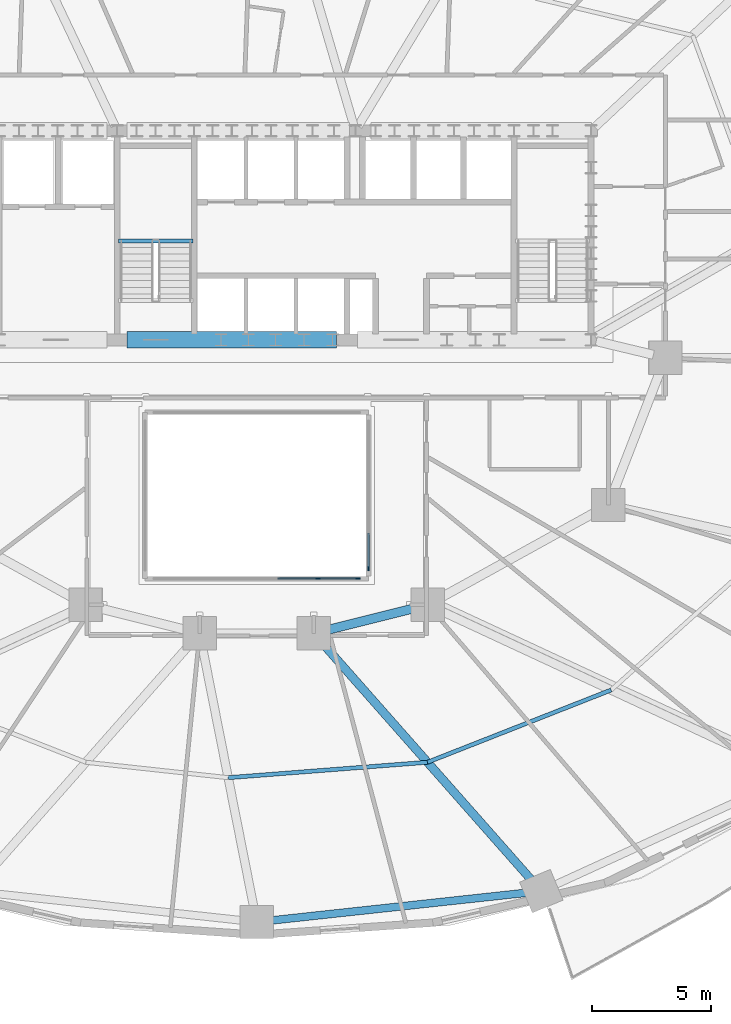
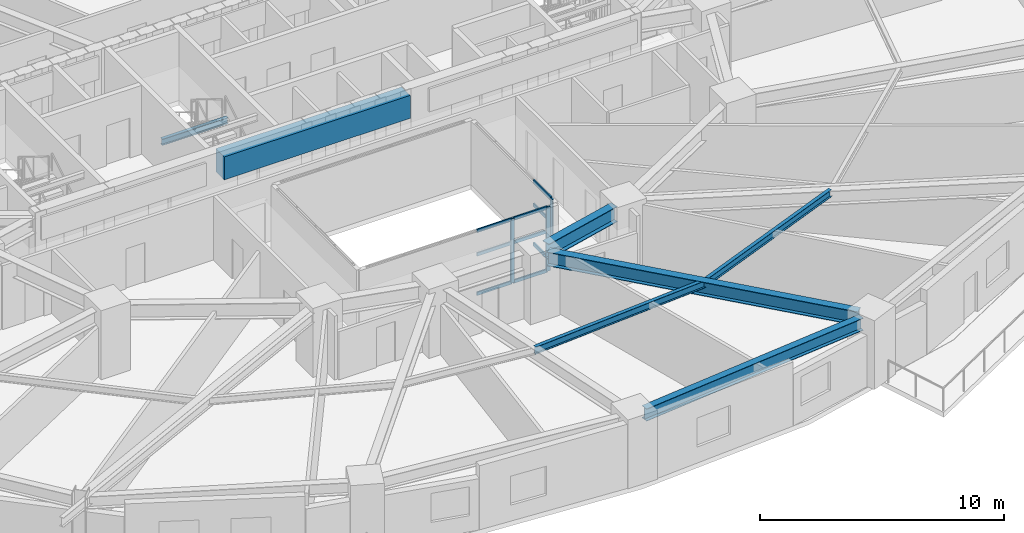
# One storey, part 5 of 18: 12 members, 7 beams, 2 elements without a shape of their own.
"""IFC4 building model written with IfcOpenShell, lengths in metres."""

import ifcopenshell
import ifcopenshell.guid

model = None  # the IFC model being written
_history = None  # IfcOwnerHistory: only IFC2X3 demands one
_inside = {}  # id of a spatial element -> (the spatial element, [elements in it])
_under = {}  # id of a project, library or spatial element -> (it, [spatial elements below it])
_declared = {}  # id of a project -> (the project, [libraries it declares])
_typed = {}  # id of a type object -> (the type object, [elements of that type])
_made_of = {}  # id of a material, layer set ... -> (it, [elements and type objects made of it])


def new_model(schema):
    """Start an empty IFC model of exactly this schema.

    Asked for "IFC4X3", IfcOpenShell would pick the latest addendum, in which some entities
    have other attributes; the version numbers below select the first issue.
    IFC2X3 requires an IfcOwnerHistory on every rooted entity: one is made here for all.
    """
    global model, _history
    if schema == "IFC4X3":
        model = ifcopenshell.file(schema_version=(4, 3, 0, 0))
    else:
        model = ifcopenshell.file(schema=schema)
    _inside.clear()
    _under.clear()
    _declared.clear()
    _typed.clear()
    _made_of.clear()
    _history = None
    if model.schema == "IFC2X3":
        org = make("IfcOrganization", Name="unknown")
        user = make(
            "IfcPersonAndOrganization",
            ThePerson=make("IfcPerson", FamilyName="unknown"),
            TheOrganization=org,
        )
        app = make(
            "IfcApplication",
            ApplicationDeveloper=org,
            Version="unknown",
            ApplicationFullName="unknown",
            ApplicationIdentifier="unknown",
        )
        _history = make(
            "IfcOwnerHistory",
            OwningUser=user,
            OwningApplication=app,
            ChangeAction="ADDED",
            CreationDate=0,
        )
    return model


def make(cls, **values):
    """One entity of the class cls with the attributes given. An attribute that is None is left unset."""
    return model.create_entity(
        cls, **{name: value for name, value in values.items() if value is not None}
    )


def rooted(cls, **values):
    """An entity with a GlobalId (a new one), such as an element, a storey or a relation."""
    return make(cls, GlobalId=ifcopenshell.guid.new(), OwnerHistory=_history, **values)


def si_unit(unit_type, name, prefix=None):
    """IfcSIUnit, for example si_unit("LENGTHUNIT", "METRE", prefix="MILLI")."""
    return make("IfcSIUnit", UnitType=unit_type, Prefix=prefix, Name=name)


def assignment(units):
    """IfcUnitAssignment: the units of a project."""
    return None if units is None else make("IfcUnitAssignment", Units=units)


def point(xyz):
    """IfcCartesianPoint."""
    return None if xyz is None else make("IfcCartesianPoint", Coordinates=xyz)


def direction(xyz):
    """IfcDirection."""
    return None if xyz is None else make("IfcDirection", DirectionRatios=xyz)


def frame(location, z_axis=None, x_axis=None):
    """IfcAxis2Placement3D, a coordinate frame: its origin and axes. An axis left out is left unset."""
    return make(
        "IfcAxis2Placement3D",
        Location=point(location),
        Axis=direction(z_axis),
        RefDirection=direction(x_axis),
    )


def frame_2d(location, x_axis=None):
    """IfcAxis2Placement2D, a coordinate frame in the plane: its origin and x axis."""
    return make(
        "IfcAxis2Placement2D", Location=point(location), RefDirection=direction(x_axis)
    )


def origin():
    """The frame at (0, 0, 0) with its axes left unset."""
    return frame((0.0, 0.0, 0.0))


def origin_2d():
    """The frame at (0, 0) in the plane with its x axis left unset."""
    return frame_2d((0.0, 0.0))


def place(relative_to, where):
    """IfcLocalPlacement: puts the frame where relative to a parent placement (None: the world)."""
    return make(
        "IfcLocalPlacement", PlacementRelTo=relative_to, RelativePlacement=where
    )


def context(
    kind, dimensions, precision=None, world=None, true_north=None, identifier=None
):
    """IfcGeometricRepresentationContext, for example the 3D "Model" context."""
    return make(
        "IfcGeometricRepresentationContext",
        ContextIdentifier=identifier,
        ContextType=kind,
        CoordinateSpaceDimension=dimensions,
        Precision=precision,
        WorldCoordinateSystem=world,
        TrueNorth=true_north,
    )


def subcontext(parent, identifier, kind, view, scale=None):
    """IfcGeometricRepresentationSubContext, for example "Body" below "Model"."""
    return make(
        "IfcGeometricRepresentationSubContext",
        ContextIdentifier=identifier,
        ContextType=kind,
        ParentContext=parent,
        TargetScale=scale,
        TargetView=view,
    )


def project(units=None, contexts=None):
    """IfcProject with its units and contexts."""
    return rooted(
        "IfcProject",
        Name="project",
        RepresentationContexts=contexts,
        UnitsInContext=assignment(units),
    )


def spatial(cls, under=None, at=None, **own):
    """A site, building, storey or space (cls), placed at a placement, below another one or the project."""
    s = rooted(cls, ObjectPlacement=at, **own)
    if under is not None:
        _under.setdefault(under.id(), (under, []))[1].append(s)
    return s


def profile(cls, at=None, kind="AREA", **sizes):
    """A parametric profile (cls). Its sizes go by their IFC names, for example OverallWidth=200.0."""
    return make(cls, ProfileType=kind, Position=at, **sizes)


def rectangle(**sizes):
    """IfcRectangleProfileDef."""
    return profile("IfcRectangleProfileDef", **sizes)


def i_section(**sizes):
    """IfcIShapeProfileDef."""
    return profile("IfcIShapeProfileDef", **sizes)


def extrude(swept, where, along, depth):
    """IfcExtrudedAreaSolid: the profile swept, set in the frame where, extruded along a direction by depth."""
    return make(
        "IfcExtrudedAreaSolid",
        SweptArea=swept,
        Position=where,
        ExtrudedDirection=direction(along),
        Depth=depth,
    )


def shape(context_of_items, identifier, shape_type, items):
    """IfcShapeRepresentation: the items that make up one representation, for example the "Body"."""
    return make(
        "IfcShapeRepresentation",
        ContextOfItems=context_of_items,
        RepresentationIdentifier=identifier,
        RepresentationType=shape_type,
        Items=items,
    )


def material(Name=None, Category=None):
    """IfcMaterial."""
    return make("IfcMaterial", Name=Name, Category=Category)


def material_profile(
    of_material, cross_section, Name=None, Category=None, Priority=None
):
    """IfcMaterialProfile: a cross section and its material."""
    return make(
        "IfcMaterialProfile",
        Name=Name,
        Material=of_material,
        Profile=cross_section,
        Priority=Priority,
        Category=Category,
    )


def profile_set(profiles, Name=None, composite=None):
    """IfcMaterialProfileSet."""
    return make(
        "IfcMaterialProfileSet",
        Name=Name,
        MaterialProfiles=profiles,
        CompositeProfile=composite,
    )


def made_of(thing, what):
    """Note that an element or type object is made of a material, layer set ...; save() writes the relation."""
    if what is not None:
        _made_of.setdefault(what.id(), (what, []))[1].append(thing)
    return thing


def type_object(cls, material=None, **own):
    """A type object (cls), such as IfcWallType, which elements share."""
    return made_of(rooted(cls, **own), material)


def element(
    cls,
    number,
    at=None,
    inside=None,
    cuts=None,
    type_object=None,
    material=None,
    context=None,
    identifier="Body",
    shape_type=None,
    held_by="IfcProductDefinitionShape",
    body=None,
    shapes=None,
    **own,
):
    """One element of the class cls, such as IfcWall. Its Tag is "e" and its number.

    at: its placement. inside: the storey or other place that contains it. cuts: it is an
    opening in that element (IfcRelVoidsElement). A single representation is given by context,
    identifier, shape_type and body (its items); several are given by shapes. held_by: the class
    of the entity that holds the representations. save() writes the other relations.
    """
    e = rooted(cls, Tag="e%d" % number, ObjectPlacement=at, **own)
    if body is not None:
        shapes = [shape(context, identifier, shape_type, body)]
    if shapes is not None:
        e.Representation = make(held_by, Representations=shapes)
    if inside is not None:
        _inside.setdefault(inside.id(), (inside, []))[1].append(e)
    if cuts is not None:
        rooted(
            "IfcRelVoidsElement", RelatingBuildingElement=cuts, RelatedOpeningElement=e
        )
    if type_object is not None:
        _typed.setdefault(type_object.id(), (type_object, []))[1].append(e)
    return made_of(e, material)


def aggregate(whole, parts):
    """IfcRelAggregates: a whole, such as a stair, and the parts it consists of."""
    return rooted("IfcRelAggregates", RelatingObject=whole, RelatedObjects=parts)


def save(model, path):
    """Write the relations noted so far, then the file.

    IfcRelAggregates (storeys below a building ...), IfcRelContainedInSpatialStructure (elements
    in a storey), IfcRelDefinesByType, IfcRelAssociatesMaterial and IfcRelDeclares: one each for
    every whole, place, type object, material and project.
    """
    for whole, parts in _under.values():
        aggregate(whole, parts)
    for where, things in _inside.values():
        rooted(
            "IfcRelContainedInSpatialStructure",
            RelatedElements=things,
            RelatingStructure=where,
        )
    for kind, things in _typed.values():
        rooted("IfcRelDefinesByType", RelatedObjects=things, RelatingType=kind)
    for what, things in _made_of.values():
        rooted("IfcRelAssociatesMaterial", RelatedObjects=things, RelatingMaterial=what)
    for by, libraries in _declared.values():
        rooted("IfcRelDeclares", RelatingContext=by, RelatedDefinitions=libraries)
    model.write(path)


model = new_model("IFC4")

# Units and contexts
model_context = context("Model", 3, precision=1e-05, world=origin(), true_north=direction((0.0, 1.0)))
body_context = subcontext(model_context, "Body", "Model", "MODEL_VIEW")
ifc_project = project(units=[si_unit("LENGTHUNIT", "METRE"), si_unit("AREAUNIT", "SQUARE_METRE"), si_unit("VOLUMEUNIT", "CUBIC_METRE"), si_unit("PLANEANGLEUNIT", "RADIAN"), si_unit("MASSUNIT", "GRAM", prefix="KILO")], contexts=[model_context])

# Site, building, storey
site_placement = place(None, origin())
site = spatial("IfcSite", under=ifc_project, at=site_placement, CompositionType="ELEMENT")
building_placement = place(site_placement, origin())
building = spatial("IfcBuilding", under=site, at=building_placement, Name="Haldorwick Loom Tower", CompositionType="ELEMENT")
storey_placement = place(building_placement, frame((0.0, 0.0, 41.25)))
storey = spatial("IfcBuildingStorey", under=building, at=storey_placement, Name="L10", CompositionType="ELEMENT", Elevation=41.25)

# Curtain wall, members
ifc_material_1 = material(Name="Thermally Broken Anodized Aluminium Curtain Wall Framing", Category="aluminium")
curtain_wall_type = type_object("IfcCurtainWallType", Name="ARC-CW-03", PredefinedType="NOTDEFINED", material=ifc_material_1)
curtain_wall_1_placement = place(storey_placement, origin())
curtain_wall_1 = element("IfcCurtainWall", 1, at=curtain_wall_1_placement, inside=storey, type_object=curtain_wall_type, Name="L10 Atrium Glazed Screen S", PredefinedType="NOTDEFINED")
ifc_material_profile_1 = material_profile(ifc_material_1, rectangle(XDim=0.06591796875, YDim=0.18505859375, at=origin_2d()), Name="ALU_MUL_66X185", Category="aluminium")
ifc_profile_set_1 = profile_set([ifc_material_profile_1], Name="Thermally Broken Anodized Aluminium Curtain Wall Framing")
member_type_1 = type_object("IfcMemberType", Name="ARC-CWM-03", PredefinedType="MULLION", material=ifc_profile_set_1)
member_1_placement = place(storey_placement, frame((40.26708984375, 16.699951171875, 0.0), z_axis=(0.0, 0.0, 1.0), x_axis=(0.0, -1.0, 0.0)))
member_1 = element("IfcMember", 2, at=member_1_placement, type_object=member_type_1, Name="CW-03 mullion 1", PredefinedType="MULLION", context=body_context, shape_type="SweptSolid", body=[
    extrude(rectangle(XDim=0.06591796875, YDim=0.18505859375, at=origin_2d()), origin(), (0.0, 0.0, 1.0), 3.2099609375),
])
member_2_placement = place(storey_placement, frame((38.580078125, 16.699951171875, 0.0), z_axis=(0.0, 0.0, 1.0), x_axis=(0.0, -1.0, 0.0)))
member_2 = element("IfcMember", 3, at=member_2_placement, type_object=member_type_1, Name="CW-03 mullion 2", PredefinedType="MULLION", context=body_context, shape_type="SweptSolid", body=[
    extrude(rectangle(XDim=0.06591796875, YDim=0.18505859375, at=origin_2d()), origin(), (0.0, 0.0, 1.0), 3.2099609375),
])

# Curtain wall, member
curtain_wall_2_placement = place(storey_placement, origin())
curtain_wall_2 = element("IfcCurtainWall", 4, at=curtain_wall_2_placement, inside=storey, type_object=curtain_wall_type, Name="L10 Atrium Glazed Screen E", PredefinedType="NOTDEFINED")
member_3_placement = place(storey_placement, frame((40.699951171875, 17.133056640625, 0.0), z_axis=(0.0, 0.0, 1.0), x_axis=(1.0, 0.0, 0.0)))
member_3 = element("IfcMember", 5, at=member_3_placement, type_object=member_type_1, Name="CW-03 mullion 5", PredefinedType="MULLION", context=body_context, shape_type="SweptSolid", body=[
    extrude(rectangle(XDim=0.06591796875, YDim=0.18505859375, at=origin_2d()), origin(), (0.0, 0.0, 1.0), 3.2099609375),
])

# Member
ifc_material_profile_2 = material_profile(ifc_material_1, rectangle(XDim=0.06591796875, YDim=0.1650390625, at=origin_2d()), Name="ALU_TRN_66X165", Category="aluminium")
ifc_profile_set_2 = profile_set([ifc_material_profile_2], Name="Thermally Broken Anodized Aluminium Curtain Wall Framing")
member_type_2 = type_object("IfcMemberType", Name="ARC-CWT-03", PredefinedType="USERDEFINED", material=ifc_profile_set_2)
member_4_placement = place(storey_placement, frame((40.23388671875, 16.699951171875, 0.032958984375), z_axis=(-1.0, 0.0, 0.0), x_axis=(0.0, -1.0, 0.0)))
member_4 = element("IfcMember", 6, at=member_4_placement, type_object=member_type_2, Name="CW-03 transom 1.1", ObjectType="TRANSOM", PredefinedType="USERDEFINED", context=body_context, shape_type="SweptSolid", body=[
    extrude(rectangle(XDim=0.06591796875, YDim=0.1650390625, at=origin_2d()), origin(), (0.0, 0.0, 1.0), 1.620849609375),
])

member_5_placement = place(storey_placement, frame((40.23388671875, 16.699951171875, 2.0), z_axis=(-1.0, 0.0, 0.0), x_axis=(0.0, -1.0, 0.0)))
member_5 = element("IfcMember", 7, at=member_5_placement, type_object=member_type_2, Name="CW-03 transom 1.2", ObjectType="TRANSOM", PredefinedType="USERDEFINED", context=body_context, shape_type="SweptSolid", body=[
    extrude(rectangle(XDim=0.06591796875, YDim=0.1650390625, at=origin_2d()), origin(), (0.0, 0.0, 1.0), 1.620849609375),
])

member_6_placement = place(storey_placement, frame((40.23388671875, 16.699951171875, 3.177001953125), z_axis=(-1.0, 0.0, 0.0), x_axis=(0.0, -1.0, 0.0)))
member_6 = element("IfcMember", 8, at=member_6_placement, type_object=member_type_2, Name="CW-03 transom 1.3", ObjectType="TRANSOM", PredefinedType="USERDEFINED", context=body_context, shape_type="SweptSolid", body=[
    extrude(rectangle(XDim=0.06591796875, YDim=0.1650390625, at=origin_2d()), origin(), (0.0, 0.0, 1.0), 1.620849609375),
])

member_7_placement = place(storey_placement, frame((38.547119140625, 16.699951171875, 0.032958984375), z_axis=(-1.0, 0.0, 0.0), x_axis=(0.0, -1.0, 0.0)))
member_7 = element("IfcMember", 9, at=member_7_placement, type_object=member_type_2, Name="CW-03 transom 2.1", ObjectType="TRANSOM", PredefinedType="USERDEFINED", context=body_context, shape_type="SweptSolid", body=[
    extrude(rectangle(XDim=0.06591796875, YDim=0.1650390625, at=origin_2d()), origin(), (0.0, 0.0, 1.0), 1.654052734375),
])

member_8_placement = place(storey_placement, frame((38.547119140625, 16.699951171875, 2.0), z_axis=(-1.0, 0.0, 0.0), x_axis=(0.0, -1.0, 0.0)))
member_8 = element("IfcMember", 10, at=member_8_placement, type_object=member_type_2, Name="CW-03 transom 2.2", ObjectType="TRANSOM", PredefinedType="USERDEFINED", context=body_context, shape_type="SweptSolid", body=[
    extrude(rectangle(XDim=0.06591796875, YDim=0.1650390625, at=origin_2d()), origin(), (0.0, 0.0, 1.0), 1.654052734375),
])

member_9_placement = place(storey_placement, frame((38.547119140625, 16.699951171875, 3.177001953125), z_axis=(-1.0, 0.0, 0.0), x_axis=(0.0, -1.0, 0.0)))
member_9 = element("IfcMember", 11, at=member_9_placement, type_object=member_type_2, Name="CW-03 transom 2.3", ObjectType="TRANSOM", PredefinedType="USERDEFINED", context=body_context, shape_type="SweptSolid", body=[
    extrude(rectangle(XDim=0.06591796875, YDim=0.1650390625, at=origin_2d()), origin(), (0.0, 0.0, 1.0), 1.654052734375),
])

aggregate(curtain_wall_1, [member_1, member_2, member_4, member_5, member_6, member_7, member_8, member_9])

member_10_placement = place(storey_placement, frame((40.699951171875, 18.616943359375, 0.032958984375), z_axis=(0.0, -1.0, 0.0), x_axis=(1.0, 0.0, 0.0)))
member_10 = element("IfcMember", 12, at=member_10_placement, type_object=member_type_2, Name="CW-03 transom 4.1", ObjectType="TRANSOM", PredefinedType="USERDEFINED", context=body_context, shape_type="SweptSolid", body=[
    extrude(rectangle(XDim=0.06591796875, YDim=0.1650390625, at=origin_2d()), origin(), (0.0, 0.0, 1.0), 1.450927734375),
])

member_11_placement = place(storey_placement, frame((40.699951171875, 18.616943359375, 2.0), z_axis=(0.0, -1.0, 0.0), x_axis=(1.0, 0.0, 0.0)))
member_11 = element("IfcMember", 13, at=member_11_placement, type_object=member_type_2, Name="CW-03 transom 4.2", ObjectType="TRANSOM", PredefinedType="USERDEFINED", context=body_context, shape_type="SweptSolid", body=[
    extrude(rectangle(XDim=0.06591796875, YDim=0.1650390625, at=origin_2d()), origin(), (0.0, 0.0, 1.0), 1.450927734375),
])

member_12_placement = place(storey_placement, frame((40.699951171875, 18.616943359375, 3.177001953125), z_axis=(0.0, -1.0, 0.0), x_axis=(1.0, 0.0, 0.0)))
member_12 = element("IfcMember", 14, at=member_12_placement, type_object=member_type_2, Name="CW-03 transom 4.3", ObjectType="TRANSOM", PredefinedType="USERDEFINED", context=body_context, shape_type="SweptSolid", body=[
    extrude(rectangle(XDim=0.06591796875, YDim=0.1650390625, at=origin_2d()), origin(), (0.0, 0.0, 1.0), 1.450927734375),
])

aggregate(curtain_wall_2, [member_3, member_10, member_11, member_12])

# Beams
ifc_material_2 = material(Name="Concrete C60 (60 MPa)", Category="concrete")
ifc_material_profile_3 = material_profile(ifc_material_2, rectangle(XDim=0.699951171875, YDim=1.14990234375, at=origin_2d()), Name="RC700X1150", Category="concrete")
ifc_profile_set_3 = profile_set([ifc_material_profile_3], Name="Concrete C60 (60 MPa)")
beam_type_1 = type_object("IfcBeamType", Name="STR-BM-CB1150", PredefinedType="LINTEL", material=ifc_profile_set_3)
beam_1_placement = place(storey_placement, frame((30.550048828125, 26.75, 2.635009765625), z_axis=(1.0, 0.0, 0.0), x_axis=(0.0, 1.0, 0.0)))
element("IfcBeam", 15, at=beam_1_placement, inside=storey, type_object=beam_type_1, Name="L10 Core Coupling Beam CB-S2", PredefinedType="LINTEL", context=body_context, shape_type="SweptSolid", body=[
    extrude(rectangle(XDim=0.699951171875, YDim=1.14990234375, at=origin_2d()), origin(), (0.0, 0.0, 1.0), 8.800048828125),
])
ifc_material_3 = material(Name="Steel CSA G40.21 350W", Category="steel")
ifc_material_profile_4 = material_profile(ifc_material_3, i_section(OverallWidth=0.172119140625, OverallDepth=0.35791015625, WebThickness=0.0078125, FlangeThickness=0.01318359375, at=origin_2d()), Name="W360X57", Category="steel")
ifc_profile_set_4 = profile_set([ifc_material_profile_4], Name="Steel CSA G40.21 350W")
beam_type_2 = type_object("IfcBeamType", Name="STR-BM-J360", PredefinedType="JOIST", material=ifc_profile_set_4)
beam_2_placement = place(storey_placement, frame((34.800048828125, 8.324951171875, 3.031005859375), z_axis=(0.99701252039, 0.077240107368, 0.0), x_axis=(-0.077240107368, 0.99701252039, 0.0)))
element("IfcBeam", 16, at=beam_2_placement, inside=storey, type_object=beam_type_2, Name="L10 Mid-Bay Secondary Joist 13", PredefinedType="JOIST", context=body_context, shape_type="SweptSolid", body=[
    extrude(i_section(OverallWidth=0.172119140625, OverallDepth=0.35791015625, WebThickness=0.0078125, FlangeThickness=0.01318359375, at=origin_2d()), origin(), (0.0, 0.0, 1.0), 8.4140625),
])
beam_3_placement = place(storey_placement, frame((43.18896484375, 8.974853515625, 3.031005859375), z_axis=(0.930584838237, 0.366076301941, 0.0), x_axis=(-0.366076301941, 0.930584838237, 0.0)))
element("IfcBeam", 17, at=beam_3_placement, inside=storey, type_object=beam_type_2, Name="L10 Mid-Bay Secondary Joist 14", PredefinedType="JOIST", context=body_context, shape_type="SweptSolid", body=[
    extrude(i_section(OverallWidth=0.172119140625, OverallDepth=0.35791015625, WebThickness=0.0078125, FlangeThickness=0.01318359375, at=origin_2d()), origin(), (0.0, 0.0, 1.0), 8.302490234375),
])
ifc_material_profile_5 = material_profile(ifc_material_3, i_section(OverallWidth=0.324951171875, OverallDepth=0.615966796875, WebThickness=0.013916015625, FlangeThickness=0.021484375, at=origin_2d()), Name="W610X174", Category="steel")
ifc_profile_set_5 = profile_set([ifc_material_profile_5], Name="Steel CSA G40.21 350W")
beam_type_3 = type_object("IfcBeamType", Name="STR-BM-SP610", PredefinedType="SPANDREL", material=ifc_profile_set_5)
beam_4_placement = place(storey_placement, frame((36.51708984375, 2.30615234375, 2.902099609375), z_axis=(0.994164438636, 0.107875247167, 0.0), x_axis=(-0.107875247167, 0.994164438636, 0.0)))
element("IfcBeam", 18, at=beam_4_placement, inside=storey, type_object=beam_type_3, Name="L10 Perimeter Spandrel 13", PredefinedType="SPANDREL", context=body_context, shape_type="SweptSolid", body=[
    extrude(i_section(OverallWidth=0.324951171875, OverallDepth=0.615966796875, WebThickness=0.013916015625, FlangeThickness=0.021484375, at=origin_2d()), origin(), (0.0, 0.0, 1.0), 11.008056640625),
])
ifc_material_profile_6 = material_profile(ifc_material_3, i_section(OverallWidth=0.166015625, OverallDepth=0.31298828125, WebThickness=0.006591796875, FlangeThickness=0.01123046875, at=origin_2d()), Name="W310X45", Category="steel")
ifc_profile_set_6 = profile_set([ifc_material_profile_6], Name="Steel CSA G40.21 350W")
beam_type_4 = type_object("IfcBeamType", Name="STR-BM-STRM", PredefinedType="BEAM", material=ifc_profile_set_6)
beam_5_placement = place(storey_placement, frame((30.18994140625, 30.919921875, 1.368408203125), z_axis=(1.0, 0.0, 0.0), x_axis=(0.0, 1.0, 0.0)))
element("IfcBeam", 19, at=beam_5_placement, inside=storey, type_object=beam_type_4, Name="L10 Stair ST-03 Half-Landing Trimmer 1", PredefinedType="BEAM", context=body_context, shape_type="SweptSolid", body=[
    extrude(i_section(OverallWidth=0.166015625, OverallDepth=0.31298828125, WebThickness=0.006591796875, FlangeThickness=0.01123046875, at=origin_2d()), origin(), (0.0, 0.0, 1.0), 3.1201171875),
])
ifc_material_profile_7 = material_profile(ifc_material_3, i_section(OverallWidth=0.35498046875, OverallDepth=0.695068359375, WebThickness=0.015380859375, FlangeThickness=0.02490234375, at=origin_2d()), Name="W690X217", Category="steel")
ifc_profile_set_7 = profile_set([ifc_material_profile_7], Name="Steel CSA G40.21 350W")
beam_type_5 = type_object("IfcBeamType", Name="STR-BM-W690", PredefinedType="BEAM", material=ifc_profile_set_7)
beam_6_placement = place(storey_placement, frame((38.744140625, 14.01025390625, 2.862548828125), z_axis=(0.661774304332, -0.749703121326, 0.0), x_axis=(0.749703121326, 0.661774304332, 0.0)))
element("IfcBeam", 20, at=beam_6_placement, inside=storey, type_object=beam_type_5, Name="L10 Radial Floor Girder 14", PredefinedType="BEAM", context=body_context, shape_type="SweptSolid", body=[
    extrude(i_section(OverallWidth=0.35498046875, OverallDepth=0.695068359375, WebThickness=0.015380859375, FlangeThickness=0.02490234375, at=origin_2d()), origin(), (0.0, 0.0, 1.0), 13.43310546875),
])
ifc_material_profile_8 = material_profile(ifc_material_3, i_section(OverallWidth=0.381103515625, OverallDepth=0.77294921875, WebThickness=0.0166015625, FlangeThickness=0.027587890625, at=origin_2d()), Name="W760X257", Category="steel")
ifc_profile_set_8 = profile_set([ifc_material_profile_8], Name="Steel CSA G40.21 350W")
beam_type_6 = type_object("IfcBeamType", Name="STR-BM-W760", PredefinedType="BEAM", material=ifc_profile_set_8)
beam_7_placement = place(storey_placement, frame((42.695556640625, 15.473876953125, 2.823486328125), z_axis=(-0.970142500145, -0.242535625036, 0.0), x_axis=(0.242535625036, -0.970142500145, 0.0)))
element("IfcBeam", 21, at=beam_7_placement, inside=storey, type_object=beam_type_6, Name="L10 Inner Ring Girder 4", PredefinedType="BEAM", context=body_context, shape_type="SweptSolid", body=[
    extrude(i_section(OverallWidth=0.381103515625, OverallDepth=0.77294921875, WebThickness=0.0166015625, FlangeThickness=0.027587890625, at=origin_2d()), origin(), (0.0, 0.0, 1.0), 3.90771484375),
])

save(model, "model.ifc")
